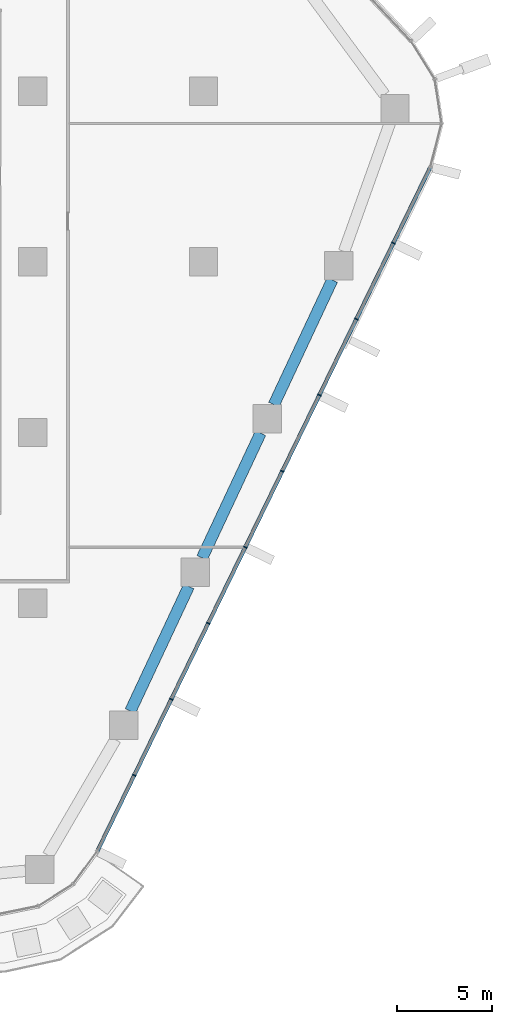
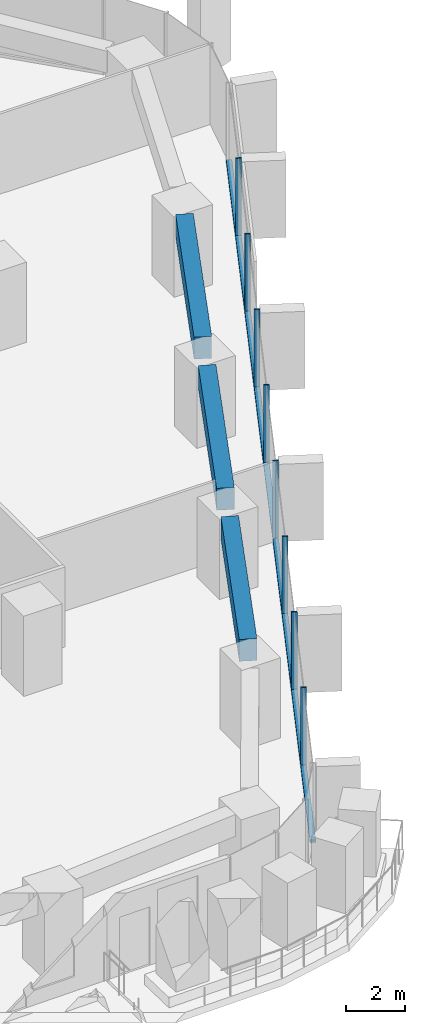
# One storey, part 7 of 25: 9 members, 3 beams, 1 element without a shape of its own.
"""IFC4 building model written with IfcOpenShell, lengths in metres."""

from ifc_helpers import new_model, si_unit, direction, frame, origin, origin_2d, place, context, subcontext, project, spatial, rectangle, extrude, material, layer, layer_set, material_profile, profile_set, type_object, element, aggregate, save


model = new_model("IFC4")

# Units and contexts
model_context = context("Model", 3, precision=1e-05, world=origin(), true_north=direction((0.0, 1.0)))
body_context = subcontext(model_context, "Body", "Model", "MODEL_VIEW")
ifc_project = project(units=[si_unit("LENGTHUNIT", "METRE"), si_unit("AREAUNIT", "SQUARE_METRE"), si_unit("VOLUMEUNIT", "CUBIC_METRE"), si_unit("PLANEANGLEUNIT", "RADIAN"), si_unit("MASSUNIT", "GRAM", prefix="KILO")], contexts=[model_context])

# Site, building, storey
site_placement = place(None, origin())
site = spatial("IfcSite", under=ifc_project, at=site_placement, CompositionType="ELEMENT")
building_placement = place(site_placement, origin())
building = spatial("IfcBuilding", under=site, at=building_placement, Name="Dongbaek Canopy Tower", CompositionType="ELEMENT")
storey_placement = place(building_placement, frame((0.0, 0.0, 77.300048828125)))
storey = spatial("IfcBuildingStorey", under=building, at=storey_placement, Name="L15", CompositionType="ELEMENT", Elevation=77.300048828125)

# Curtain wall, members
ifc_material_1 = material(Name="Aluminium 6063-T6 pale anodised", Category="aluminium")
ifc_layer = layer(ifc_material_1, 0.199951171875)
ifc_layer_set = layer_set([ifc_layer], Name="CW-1 unitised tower curtain wall")
curtain_wall_type = type_object("IfcCurtainWallType", Name="CW-1 unitised tower curtain wall", PredefinedType="NOTDEFINED", material=ifc_layer_set)
curtain_wall_placement = place(storey_placement, origin())
curtain_wall = element("IfcCurtainWall", 1, at=curtain_wall_placement, inside=storey, type_object=curtain_wall_type, Name="CW-1 curtain wall F5.1", PredefinedType="NOTDEFINED")
ifc_material_2 = material(Name="Aluminium 6063-T6 pale anodised", Category="aluminium")
ifc_material_profile_1 = material_profile(ifc_material_2, rectangle(XDim=0.199951171875, YDim=0.06005859375, at=origin_2d()), Name="CW-1 mullion 60 x 200")
ifc_profile_set_1 = profile_set([ifc_material_profile_1], Name="Aluminium 6063-T6 pale anodised")
member_type_1 = type_object("IfcMemberType", Name="CW-1 mullion 60 x 200", PredefinedType="MULLION", material=ifc_profile_set_1)
member_1_placement = place(storey_placement, frame((23.350341796875, -27.076904296875, 0.119873046875), z_axis=(0.0, 0.0, 1.0), x_axis=(0.899092424879, -0.437758850882, 0.0)))
member_1 = element("IfcMember", 2, at=member_1_placement, type_object=member_type_1, Name="CW-1 mullion F5.1.2", PredefinedType="MULLION", context=body_context, shape_type="SweptSolid", body=[
    extrude(rectangle(XDim=0.199951171875, YDim=0.06005859375, at=origin_2d()), origin(), (0.0, 0.0, 1.0), 3.18017578125),
])
member_2_placement = place(storey_placement, frame((25.302734375, -23.0673828125, 0.119873046875), z_axis=(0.0, 0.0, 1.0), x_axis=(0.899092424879, -0.437758850882, 0.0)))
member_2 = element("IfcMember", 3, at=member_2_placement, type_object=member_type_1, Name="CW-1 mullion F5.1.3", PredefinedType="MULLION", context=body_context, shape_type="SweptSolid", body=[
    extrude(rectangle(XDim=0.199951171875, YDim=0.06005859375, at=origin_2d()), origin(), (0.0, 0.0, 1.0), 3.18017578125),
])
member_3_placement = place(storey_placement, frame((27.2548828125, -19.057861328125, 0.119873046875), z_axis=(0.0, 0.0, 1.0), x_axis=(0.899092424879, -0.437758850882, 0.0)))
member_3 = element("IfcMember", 4, at=member_3_placement, type_object=member_type_1, Name="CW-1 mullion F5.1.4", PredefinedType="MULLION", context=body_context, shape_type="SweptSolid", body=[
    extrude(rectangle(XDim=0.199951171875, YDim=0.06005859375, at=origin_2d()), origin(), (0.0, 0.0, 1.0), 3.18017578125),
])
member_4_placement = place(storey_placement, frame((29.20703125, -15.048095703125, 0.119873046875), z_axis=(0.0, 0.0, 1.0), x_axis=(0.899092424879, -0.437758850882, 0.0)))
member_4 = element("IfcMember", 5, at=member_4_placement, type_object=member_type_1, Name="CW-1 mullion F5.1.5", PredefinedType="MULLION", context=body_context, shape_type="SweptSolid", body=[
    extrude(rectangle(XDim=0.199951171875, YDim=0.06005859375, at=origin_2d()), origin(), (0.0, 0.0, 1.0), 3.18017578125),
])
member_5_placement = place(storey_placement, frame((31.159423828125, -11.03857421875, 0.119873046875), z_axis=(0.0, 0.0, 1.0), x_axis=(0.899092424879, -0.437758850882, 0.0)))
member_5 = element("IfcMember", 6, at=member_5_placement, type_object=member_type_1, Name="CW-1 mullion F5.1.6", PredefinedType="MULLION", context=body_context, shape_type="SweptSolid", body=[
    extrude(rectangle(XDim=0.199951171875, YDim=0.06005859375, at=origin_2d()), origin(), (0.0, 0.0, 1.0), 3.18017578125),
])
member_6_placement = place(storey_placement, frame((33.111572265625, -7.029052734375, 0.119873046875), z_axis=(0.0, 0.0, 1.0), x_axis=(0.899092424879, -0.437758850882, 0.0)))
member_6 = element("IfcMember", 7, at=member_6_placement, type_object=member_type_1, Name="CW-1 mullion F5.1.7", PredefinedType="MULLION", context=body_context, shape_type="SweptSolid", body=[
    extrude(rectangle(XDim=0.199951171875, YDim=0.06005859375, at=origin_2d()), origin(), (0.0, 0.0, 1.0), 3.18017578125),
])
member_7_placement = place(storey_placement, frame((35.06396484375, -3.019287109375, 0.119873046875), z_axis=(0.0, 0.0, 1.0), x_axis=(0.899092424879, -0.437758850882, 0.0)))
member_7 = element("IfcMember", 8, at=member_7_placement, type_object=member_type_1, Name="CW-1 mullion F5.1.8", PredefinedType="MULLION", context=body_context, shape_type="SweptSolid", body=[
    extrude(rectangle(XDim=0.199951171875, YDim=0.06005859375, at=origin_2d()), origin(), (0.0, 0.0, 1.0), 3.18017578125),
])
member_8_placement = place(storey_placement, frame((37.01611328125, 0.990234375, 0.119873046875), z_axis=(0.0, 0.0, 1.0), x_axis=(0.899092424879, -0.437758850882, 0.0)))
member_8 = element("IfcMember", 9, at=member_8_placement, type_object=member_type_1, Name="CW-1 mullion F5.1.9", PredefinedType="MULLION", context=body_context, shape_type="SweptSolid", body=[
    extrude(rectangle(XDim=0.199951171875, YDim=0.06005859375, at=origin_2d()), origin(), (0.0, 0.0, 1.0), 3.18017578125),
])
ifc_material_3 = material(Name="Aluminium 6063-T6 pale anodised", Category="aluminium")
ifc_material_profile_2 = material_profile(ifc_material_3, rectangle(XDim=0.199951171875, YDim=0.1201171875, at=origin_2d()), Name="CW-1 transom 120 x 200")
ifc_profile_set_2 = profile_set([ifc_material_profile_2], Name="Aluminium 6063-T6 pale anodised")
member_type_2 = type_object("IfcMemberType", Name="CW-1 transom 120 x 200", PredefinedType="USERDEFINED", material=ifc_profile_set_2)
member_9_placement = place(storey_placement, frame((21.402099609375, -31.078369140625, 0.06005859375), z_axis=(0.437760823542, 0.899091464408, 0.0), x_axis=(-0.899091464408, 0.437760823542, 0.0)))
member_9 = element("IfcMember", 10, at=member_9_placement, type_object=member_type_2, Name="CW-1 transom F5.1.1", ObjectType="TRANSOM", PredefinedType="USERDEFINED", context=body_context, shape_type="SweptSolid", body=[
    extrude(rectangle(XDim=0.199951171875, YDim=0.1201171875, at=origin_2d()), origin(), (0.0, 0.0, 1.0), 40.1171875),
])
aggregate(curtain_wall, [member_1, member_2, member_3, member_4, member_5, member_6, member_7, member_8, member_9])

# Beams
ifc_material_4 = material(Name="Concrete C80", Category="concrete")
ifc_material_profile_3 = material_profile(ifc_material_4, rectangle(XDim=0.60009765625, YDim=0.89990234375, at=origin_2d()), Name="RC EDGE BEAM 600x900 C80")
ifc_profile_set_3 = profile_set([ifc_material_profile_3], Name="Concrete C80")
beam_type = type_object("IfcBeamType", Name="RC EDGE BEAM 600x900 C80", PredefinedType="BEAM", material=ifc_profile_set_3)
beam_1_placement = place(storey_placement, frame((33.791748046875, -0.955078125, 2.849853515625), z_axis=(-0.424064450026, -0.905632012588, 0.0), x_axis=(0.905632012588, -0.424064450026, 0.0)))
element("IfcBeam", 11, at=beam_1_placement, inside=storey, type_object=beam_type, Name="EDGEBEAM:L15:22", PredefinedType="BEAM", context=body_context, shape_type="SweptSolid", body=[
    extrude(rectangle(XDim=0.60009765625, YDim=0.89990234375, at=origin_2d()), origin(), (0.0, 0.0, 1.0), 7.264404296875),
])
beam_2_placement = place(storey_placement, frame((30.0087890625, -9.033935546875, 2.849853515625), z_axis=(-0.424110161641, -0.905610606604, 0.0), x_axis=(0.905610606604, -0.424110161641, 0.0)))
element("IfcBeam", 12, at=beam_2_placement, inside=storey, type_object=beam_type, Name="EDGEBEAM:L15:23", PredefinedType="BEAM", context=body_context, shape_type="SweptSolid", body=[
    extrude(rectangle(XDim=0.60009765625, YDim=0.89990234375, at=origin_2d()), origin(), (0.0, 0.0, 1.0), 7.265869140625),
])
beam_3_placement = place(storey_placement, frame((26.224609375, -17.114013671875, 2.849853515625), z_axis=(-0.42413422917, -0.905599335052, 0.0), x_axis=(0.905599335052, -0.42413422917, 0.0)))
element("IfcBeam", 13, at=beam_3_placement, inside=storey, type_object=beam_type, Name="EDGEBEAM:L15:24", PredefinedType="BEAM", context=body_context, shape_type="SweptSolid", body=[
    extrude(rectangle(XDim=0.60009765625, YDim=0.89990234375, at=origin_2d()), origin(), (0.0, 0.0, 1.0), 7.264892578125),
])

save(model, "model.ifc")
